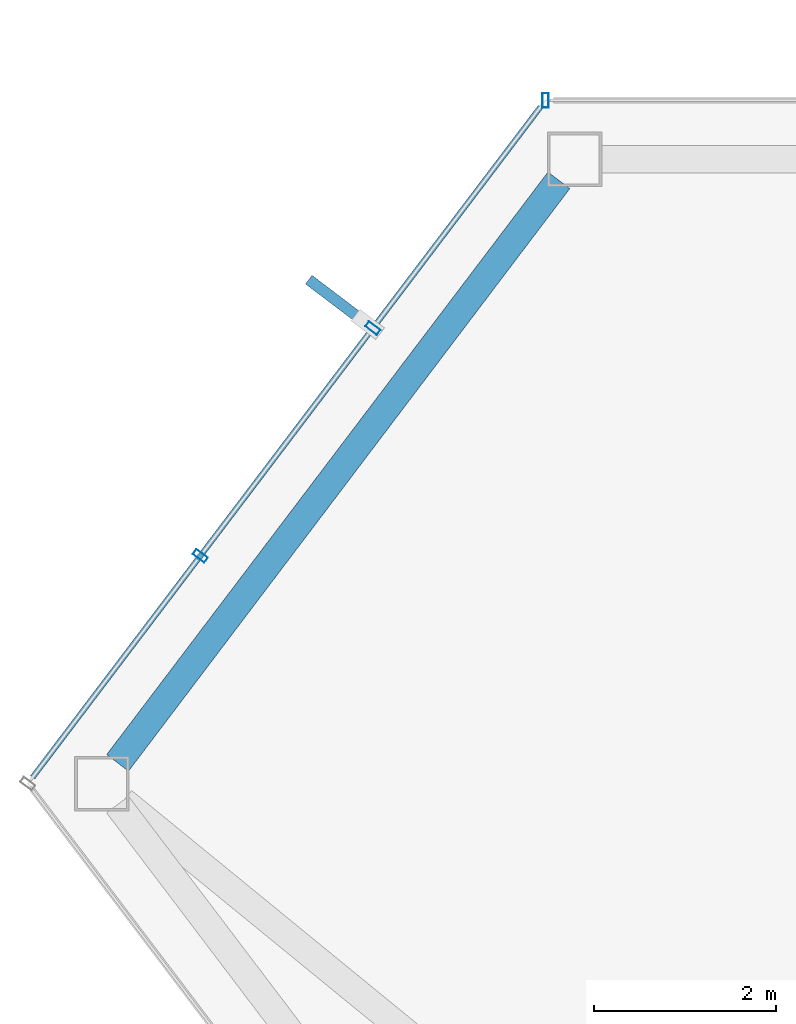
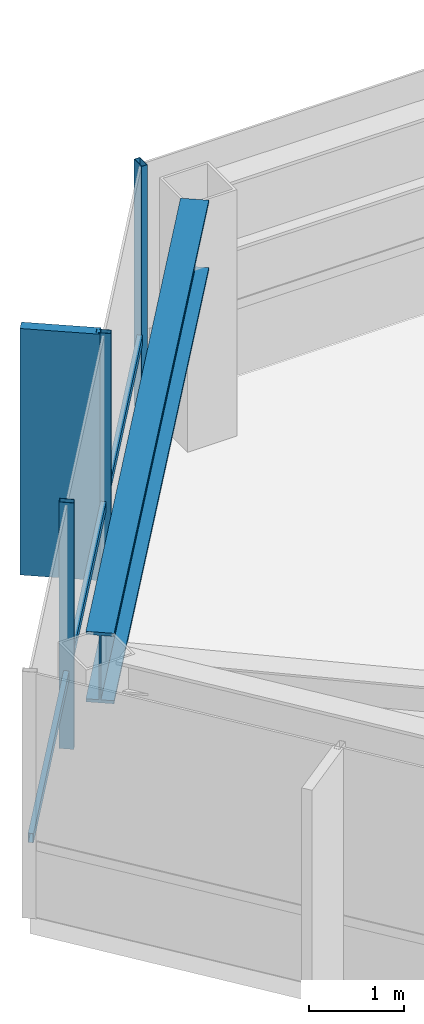
# One storey, part 12 of 28: 5 members, 1 beam, 2 elements without a shape of their own.
"""IFC4 building model written with IfcOpenShell, lengths in metres."""

from ifc_helpers import new_model, si_unit, direction, frame, origin, origin_2d, place, context, subcontext, project, spatial, rectangle, hollow_rectangle, i_section, extrude, material, layer, layer_set, material_profile, profile_set, type_object, element, aggregate, save


model = new_model("IFC4")

# Units and contexts
model_context = context("Model", 3, precision=1e-05, world=origin(), true_north=direction((0.0, 1.0)))
body_context = subcontext(model_context, "Body", "Model", "MODEL_VIEW")
ifc_project = project(units=[si_unit("LENGTHUNIT", "METRE"), si_unit("AREAUNIT", "SQUARE_METRE"), si_unit("VOLUMEUNIT", "CUBIC_METRE"), si_unit("PLANEANGLEUNIT", "RADIAN"), si_unit("MASSUNIT", "GRAM", prefix="KILO")], contexts=[model_context])

# Site, building, storey
site_placement = place(None, origin())
site = spatial("IfcSite", under=ifc_project, at=site_placement, CompositionType="ELEMENT")
building_placement = place(site_placement, origin())
building = spatial("IfcBuilding", under=site, at=building_placement, Name="Zarrinselat Tower", CompositionType="ELEMENT")
storey_placement = place(building_placement, frame((0.0, 0.0, 218.9599609375)))
storey = spatial("IfcBuildingStorey", under=building, at=storey_placement, Name="L54", CompositionType="ELEMENT", Elevation=218.9599609375)

# Beam
ifc_material_1 = material(Name="Steel S460M", Category="steel")
ifc_material_profile_1 = material_profile(ifc_material_1, i_section(OverallWidth=0.302001953125, OverallDepth=0.909912109375, WebThickness=0.02099609375, FlangeThickness=0.0400390625, at=origin_2d()), Name="HEM 900")
ifc_profile_set_1 = profile_set([ifc_material_profile_1], Name="Steel S460M")
beam_type = type_object("IfcBeamType", Name="BM-HEM900", PredefinedType="BEAM", material=ifc_profile_set_1)
beam_placement = place(storey_placement, frame((16.115966796875, 41.001708984375, 2.72509765625), z_axis=(0.603876967091, 0.797077542412, 0.0), x_axis=(-0.797077542412, 0.603876967091, 0.0)))
element("IfcBeam", 1, at=beam_placement, inside=storey, type_object=beam_type, Name="L54 Perimeter Spandrel Girder SP05", PredefinedType="BEAM", context=body_context, shape_type="SweptSolid", body=[
    extrude(i_section(OverallWidth=0.302001953125, OverallDepth=0.909912109375, WebThickness=0.02099609375, FlangeThickness=0.0400390625, at=origin_2d()), origin(), (0.0, 0.0, 1.0), 8.045654296875),
])

# Curtain wall, member
ifc_material_2 = material(Name="Extruded Aluminium Alloy EN AW-6063 T6", Category="aluminium")
ifc_layer = layer(ifc_material_2, 0.169921875)
ifc_layer_set = layer_set([ifc_layer], Name="Extruded Aluminium Alloy EN AW-6063 T6")
curtain_wall_type = type_object("IfcCurtainWallType", Name="CWS-RES", PredefinedType="NOTDEFINED", material=ifc_layer_set)
curtain_wall_1_placement = place(storey_placement, origin())
curtain_wall_1 = element("IfcCurtainWall", 2, at=curtain_wall_1_placement, inside=storey, type_object=curtain_wall_type, Name="L54 Unitised Curtain Wall CW-L54-E01", PredefinedType="NOTDEFINED")
ifc_material_3 = material(Name="Extruded Aluminium Alloy EN AW-6063 T6", Category="aluminium")
ifc_material_profile_2 = material_profile(ifc_material_3, hollow_rectangle(XDim=0.070068359375, YDim=0.159912109375, WallThickness=0.00390625, at=origin_2d()), Name="RHS 160x70x4")
ifc_profile_set_2 = profile_set([ifc_material_profile_2], Name="Extruded Aluminium Alloy EN AW-6063 T6")
member_type_1 = type_object("IfcMemberType", Name="MEM-CW-MUL2", PredefinedType="MULLION", material=ifc_profile_set_2)
member_1_placement = place(storey_placement, frame((20.825439453125, 48.29443359375, 0.0), z_axis=(0.0, 0.0, 1.0), x_axis=(-1.0, 0.0, 0.0)))
member_1 = element("IfcMember", 3, at=member_1_placement, type_object=member_type_1, Name="CW-L54-E01 Mullion 11", PredefinedType="MULLION", context=body_context, shape_type="SweptSolid", body=[
    extrude(hollow_rectangle(XDim=0.070068359375, YDim=0.159912109375, WallThickness=0.00390625, at=origin_2d()), origin(), (0.0, 0.0, 1.0), 3.179931640625),
])
aggregate(curtain_wall_1, [member_1])

# Curtain wall, members
curtain_wall_2_placement = place(storey_placement, origin())
curtain_wall_2 = element("IfcCurtainWall", 4, at=curtain_wall_2_placement, inside=storey, type_object=curtain_wall_type, Name="L54 Unitised Curtain Wall CW-L54-E02", PredefinedType="NOTDEFINED")
member_2_placement = place(storey_placement, frame((18.92578125, 45.786865234375, 0.0), z_axis=(0.0, 0.0, 1.0), x_axis=(-0.603865236347, -0.79708642965, 0.0)))
member_2 = element("IfcMember", 5, at=member_2_placement, type_object=member_type_1, Name="CW-L54-E02 Mullion 1", PredefinedType="MULLION", context=body_context, shape_type="SweptSolid", body=[
    extrude(hollow_rectangle(XDim=0.070068359375, YDim=0.159912109375, WallThickness=0.00390625, at=origin_2d()), origin(), (0.0, 0.0, 1.0), 3.179931640625),
])
member_3_placement = place(storey_placement, frame((17.026123046875, 43.279541015625, 0.0), z_axis=(0.0, 0.0, 1.0), x_axis=(-0.603865236347, -0.79708642965, 0.0)))
member_3 = element("IfcMember", 6, at=member_3_placement, type_object=member_type_1, Name="CW-L54-E02 Mullion 2", PredefinedType="MULLION", context=body_context, shape_type="SweptSolid", body=[
    extrude(hollow_rectangle(XDim=0.070068359375, YDim=0.159912109375, WallThickness=0.00390625, at=origin_2d()), origin(), (0.0, 0.0, 1.0), 3.179931640625),
])
ifc_material_4 = material(Name="Extruded Aluminium Alloy EN AW-6063 T6", Category="aluminium")
ifc_material_profile_3 = material_profile(ifc_material_4, hollow_rectangle(XDim=0.06005859375, YDim=0.1201171875, WallThickness=0.00390625, at=origin_2d()), Name="RHS 120x60x4")
ifc_profile_set_3 = profile_set([ifc_material_profile_3], Name="Extruded Aluminium Alloy EN AW-6063 T6")
member_type_2 = type_object("IfcMemberType", Name="MEM-CW-TRN2", PredefinedType="USERDEFINED", material=ifc_profile_set_3)
member_4_placement = place(storey_placement, frame((20.771240234375, 48.22265625, 0.949951171875), z_axis=(-0.603874951459, -0.797079069478, 0.0), x_axis=(0.797079069478, -0.603874951459, 0.0)))
member_4 = element("IfcMember", 7, at=member_4_placement, type_object=member_type_2, Name="CW-L54-E02 Transom 1", ObjectType="TRANSOM", PredefinedType="USERDEFINED", context=body_context, shape_type="SweptSolid", body=[
    extrude(hollow_rectangle(XDim=0.06005859375, YDim=0.1201171875, WallThickness=0.00390625, at=origin_2d()), origin(), (0.0, 0.0, 1.0), 9.25732421875),
])
ifc_material_5 = material(Name="Honed Cream Travertine Stone", Category="masonry")
ifc_material_profile_4 = material_profile(ifc_material_5, rectangle(XDim=0.1201171875, YDim=0.85009765625, at=origin_2d()), Name="FIN 850x120")
ifc_profile_set_4 = profile_set([ifc_material_profile_4], Name="Honed Cream Travertine Stone")
member_type_3 = type_object("IfcMemberType", Name="MEM-STONE-FIN", PredefinedType="USERDEFINED", material=ifc_profile_set_4)
member_5_placement = place(storey_placement, frame((18.55908203125, 46.064697265625, 0.0), z_axis=(0.0, 0.0, 1.0), x_axis=(0.603865236347, 0.79708642965, 0.0)))
member_5 = element("IfcMember", 8, at=member_5_placement, type_object=member_type_3, Name="L54 Stone Shading Fin CW-L54-E02-01", ObjectType="FIN", PredefinedType="USERDEFINED", context=body_context, shape_type="SweptSolid", body=[
    extrude(rectangle(XDim=0.1201171875, YDim=0.85009765625, at=origin_2d()), origin(), (0.0, 0.0, 1.0), 3.179931640625),
])
aggregate(curtain_wall_2, [member_2, member_5, member_3, member_4])

save(model, "model.ifc")
